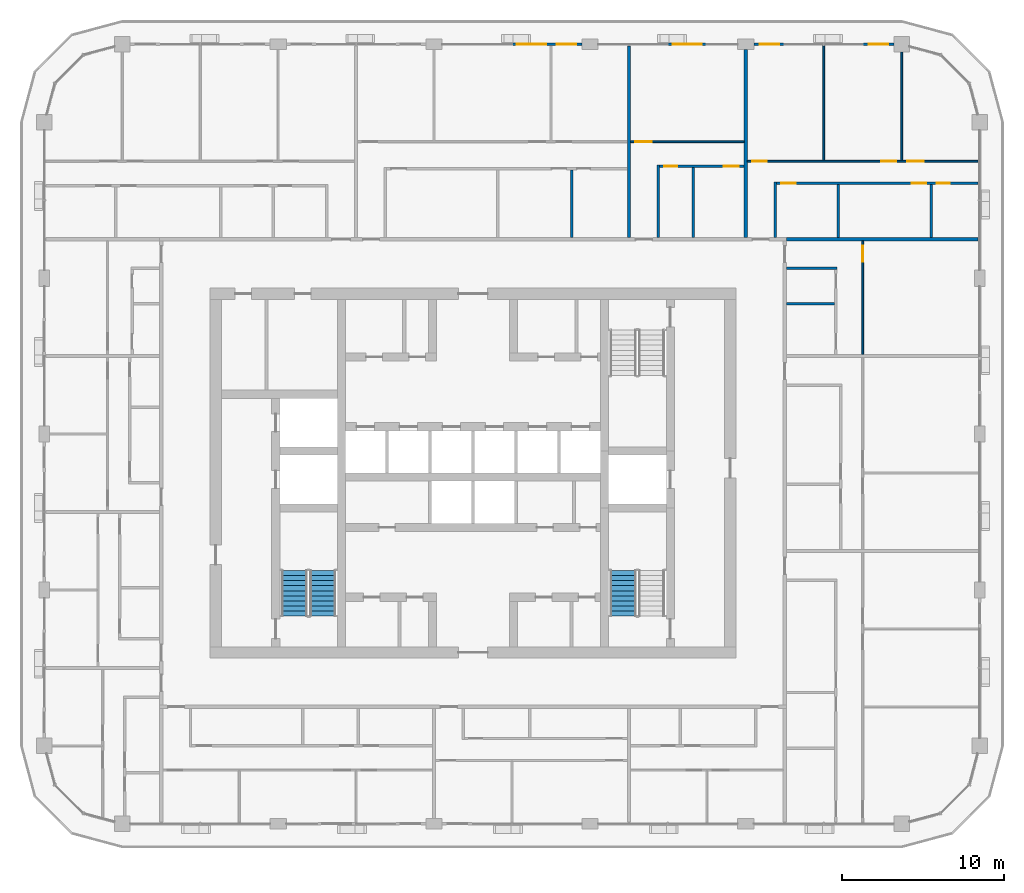
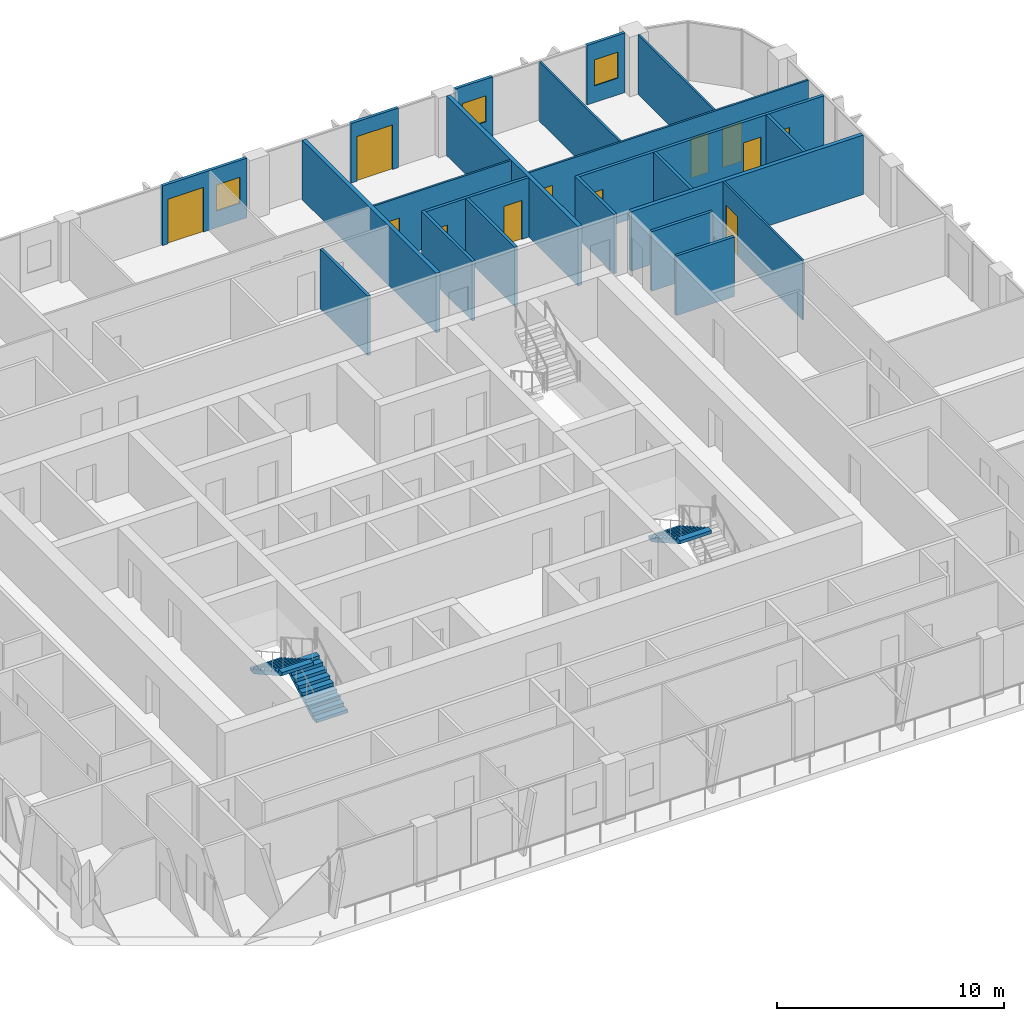
# One storey, part 15 of 23: 22 walls, 12 doors, 3 stair flights, 3 windows, 15 openings, 2 elements without a shape of their own.
"""IFC4 building model written with IfcOpenShell, lengths in metres."""

import ifcopenshell
import ifcopenshell.guid

model = None  # the IFC model being written
_history = None  # IfcOwnerHistory: only IFC2X3 demands one
_inside = {}  # id of a spatial element -> (the spatial element, [elements in it])
_under = {}  # id of a project, library or spatial element -> (it, [spatial elements below it])
_declared = {}  # id of a project -> (the project, [libraries it declares])
_typed = {}  # id of a type object -> (the type object, [elements of that type])
_made_of = {}  # id of a material, layer set ... -> (it, [elements and type objects made of it])


def new_model(schema):
    """Start an empty IFC model of exactly this schema.

    Asked for "IFC4X3", IfcOpenShell would pick the latest addendum, in which some entities
    have other attributes; the version numbers below select the first issue.
    IFC2X3 requires an IfcOwnerHistory on every rooted entity: one is made here for all.
    """
    global model, _history
    if schema == "IFC4X3":
        model = ifcopenshell.file(schema_version=(4, 3, 0, 0))
    else:
        model = ifcopenshell.file(schema=schema)
    _inside.clear()
    _under.clear()
    _declared.clear()
    _typed.clear()
    _made_of.clear()
    _history = None
    if model.schema == "IFC2X3":
        org = make("IfcOrganization", Name="unknown")
        user = make(
            "IfcPersonAndOrganization",
            ThePerson=make("IfcPerson", FamilyName="unknown"),
            TheOrganization=org,
        )
        app = make(
            "IfcApplication",
            ApplicationDeveloper=org,
            Version="unknown",
            ApplicationFullName="unknown",
            ApplicationIdentifier="unknown",
        )
        _history = make(
            "IfcOwnerHistory",
            OwningUser=user,
            OwningApplication=app,
            ChangeAction="ADDED",
            CreationDate=0,
        )
    return model


def make(cls, **values):
    """One entity of the class cls with the attributes given. An attribute that is None is left unset."""
    return model.create_entity(
        cls, **{name: value for name, value in values.items() if value is not None}
    )


def rooted(cls, **values):
    """An entity with a GlobalId (a new one), such as an element, a storey or a relation."""
    return make(cls, GlobalId=ifcopenshell.guid.new(), OwnerHistory=_history, **values)


def si_unit(unit_type, name, prefix=None):
    """IfcSIUnit, for example si_unit("LENGTHUNIT", "METRE", prefix="MILLI")."""
    return make("IfcSIUnit", UnitType=unit_type, Prefix=prefix, Name=name)


def assignment(units):
    """IfcUnitAssignment: the units of a project."""
    return None if units is None else make("IfcUnitAssignment", Units=units)


def point(xyz):
    """IfcCartesianPoint."""
    return None if xyz is None else make("IfcCartesianPoint", Coordinates=xyz)


def direction(xyz):
    """IfcDirection."""
    return None if xyz is None else make("IfcDirection", DirectionRatios=xyz)


def frame(location, z_axis=None, x_axis=None):
    """IfcAxis2Placement3D, a coordinate frame: its origin and axes. An axis left out is left unset."""
    return make(
        "IfcAxis2Placement3D",
        Location=point(location),
        Axis=direction(z_axis),
        RefDirection=direction(x_axis),
    )


def frame_2d(location, x_axis=None):
    """IfcAxis2Placement2D, a coordinate frame in the plane: its origin and x axis."""
    return make(
        "IfcAxis2Placement2D", Location=point(location), RefDirection=direction(x_axis)
    )


def origin():
    """The frame at (0, 0, 0) with its axes left unset."""
    return frame((0.0, 0.0, 0.0))


def place(relative_to, where):
    """IfcLocalPlacement: puts the frame where relative to a parent placement (None: the world)."""
    return make(
        "IfcLocalPlacement", PlacementRelTo=relative_to, RelativePlacement=where
    )


def context(
    kind, dimensions, precision=None, world=None, true_north=None, identifier=None
):
    """IfcGeometricRepresentationContext, for example the 3D "Model" context."""
    return make(
        "IfcGeometricRepresentationContext",
        ContextIdentifier=identifier,
        ContextType=kind,
        CoordinateSpaceDimension=dimensions,
        Precision=precision,
        WorldCoordinateSystem=world,
        TrueNorth=true_north,
    )


def subcontext(parent, identifier, kind, view, scale=None):
    """IfcGeometricRepresentationSubContext, for example "Body" below "Model"."""
    return make(
        "IfcGeometricRepresentationSubContext",
        ContextIdentifier=identifier,
        ContextType=kind,
        ParentContext=parent,
        TargetScale=scale,
        TargetView=view,
    )


def project(units=None, contexts=None):
    """IfcProject with its units and contexts."""
    return rooted(
        "IfcProject",
        Name="project",
        RepresentationContexts=contexts,
        UnitsInContext=assignment(units),
    )


def spatial(cls, under=None, at=None, **own):
    """A site, building, storey or space (cls), placed at a placement, below another one or the project."""
    s = rooted(cls, ObjectPlacement=at, **own)
    if under is not None:
        _under.setdefault(under.id(), (under, []))[1].append(s)
    return s


def polyline(points):
    """IfcPolyline through the points."""
    return make("IfcPolyline", Points=[point(p) for p in points])


def profile(cls, at=None, kind="AREA", **sizes):
    """A parametric profile (cls). Its sizes go by their IFC names, for example OverallWidth=200.0."""
    return make(cls, ProfileType=kind, Position=at, **sizes)


def rectangle(**sizes):
    """IfcRectangleProfileDef."""
    return profile("IfcRectangleProfileDef", **sizes)


def outline(outer, holes=None, kind="AREA"):
    """IfcArbitraryClosedProfileDef: a profile drawn as a closed curve; with holes, ...WithVoids."""
    if holes is None:
        return make("IfcArbitraryClosedProfileDef", ProfileType=kind, OuterCurve=outer)
    return make(
        "IfcArbitraryProfileDefWithVoids",
        ProfileType=kind,
        OuterCurve=outer,
        InnerCurves=holes,
    )


def extrude(swept, where, along, depth):
    """IfcExtrudedAreaSolid: the profile swept, set in the frame where, extruded along a direction by depth."""
    return make(
        "IfcExtrudedAreaSolid",
        SweptArea=swept,
        Position=where,
        ExtrudedDirection=direction(along),
        Depth=depth,
    )


def shape(context_of_items, identifier, shape_type, items):
    """IfcShapeRepresentation: the items that make up one representation, for example the "Body"."""
    return make(
        "IfcShapeRepresentation",
        ContextOfItems=context_of_items,
        RepresentationIdentifier=identifier,
        RepresentationType=shape_type,
        Items=items,
    )


def material(Name=None, Category=None):
    """IfcMaterial."""
    return make("IfcMaterial", Name=Name, Category=Category)


def layer(
    of_material, thickness, ventilated=None, Name=None, Category=None, Priority=None
):
    """IfcMaterialLayer: one layer of a wall or slab, of a material (None: an air gap)."""
    return make(
        "IfcMaterialLayer",
        Material=of_material,
        LayerThickness=thickness,
        IsVentilated=ventilated,
        Name=Name,
        Category=Category,
        Priority=Priority,
    )


def layer_set(layers, Name=None):
    """IfcMaterialLayerSet."""
    return make("IfcMaterialLayerSet", MaterialLayers=layers, LayerSetName=Name)


def made_of(thing, what):
    """Note that an element or type object is made of a material, layer set ...; save() writes the relation."""
    if what is not None:
        _made_of.setdefault(what.id(), (what, []))[1].append(thing)
    return thing


def type_object(cls, material=None, **own):
    """A type object (cls), such as IfcWallType, which elements share."""
    return made_of(rooted(cls, **own), material)


def element(
    cls,
    number,
    at=None,
    inside=None,
    cuts=None,
    type_object=None,
    material=None,
    context=None,
    identifier="Body",
    shape_type=None,
    held_by="IfcProductDefinitionShape",
    body=None,
    shapes=None,
    **own,
):
    """One element of the class cls, such as IfcWall. Its Tag is "e" and its number.

    at: its placement. inside: the storey or other place that contains it. cuts: it is an
    opening in that element (IfcRelVoidsElement). A single representation is given by context,
    identifier, shape_type and body (its items); several are given by shapes. held_by: the class
    of the entity that holds the representations. save() writes the other relations.
    """
    e = rooted(cls, Tag="e%d" % number, ObjectPlacement=at, **own)
    if body is not None:
        shapes = [shape(context, identifier, shape_type, body)]
    if shapes is not None:
        e.Representation = make(held_by, Representations=shapes)
    if inside is not None:
        _inside.setdefault(inside.id(), (inside, []))[1].append(e)
    if cuts is not None:
        rooted(
            "IfcRelVoidsElement", RelatingBuildingElement=cuts, RelatedOpeningElement=e
        )
    if type_object is not None:
        _typed.setdefault(type_object.id(), (type_object, []))[1].append(e)
    return made_of(e, material)


def fill(opening, filler):
    """IfcRelFillsElement: the door or window that sits in an opening."""
    return rooted(
        "IfcRelFillsElement",
        RelatingOpeningElement=opening,
        RelatedBuildingElement=filler,
    )


def aggregate(whole, parts):
    """IfcRelAggregates: a whole, such as a stair, and the parts it consists of."""
    return rooted("IfcRelAggregates", RelatingObject=whole, RelatedObjects=parts)


def save(model, path):
    """Write the relations noted so far, then the file.

    IfcRelAggregates (storeys below a building ...), IfcRelContainedInSpatialStructure (elements
    in a storey), IfcRelDefinesByType, IfcRelAssociatesMaterial and IfcRelDeclares: one each for
    every whole, place, type object, material and project.
    """
    for whole, parts in _under.values():
        aggregate(whole, parts)
    for where, things in _inside.values():
        rooted(
            "IfcRelContainedInSpatialStructure",
            RelatedElements=things,
            RelatingStructure=where,
        )
    for kind, things in _typed.values():
        rooted("IfcRelDefinesByType", RelatedObjects=things, RelatingType=kind)
    for what, things in _made_of.values():
        rooted("IfcRelAssociatesMaterial", RelatedObjects=things, RelatingMaterial=what)
    for by, libraries in _declared.values():
        rooted("IfcRelDeclares", RelatingContext=by, RelatedDefinitions=libraries)
    model.write(path)


model = new_model("IFC4")

# Units and contexts
model_context = context("Model", 3, precision=1e-05, world=origin(), true_north=direction((0.0, 1.0)))
body_context = subcontext(model_context, "Body", "Model", "MODEL_VIEW")
ifc_project = project(units=[si_unit("LENGTHUNIT", "METRE"), si_unit("AREAUNIT", "SQUARE_METRE"), si_unit("VOLUMEUNIT", "CUBIC_METRE"), si_unit("PLANEANGLEUNIT", "RADIAN"), si_unit("MASSUNIT", "GRAM", prefix="KILO")], contexts=[model_context])

# Site, building, storey
site_placement = place(None, origin())
site = spatial("IfcSite", under=ifc_project, at=site_placement, CompositionType="ELEMENT")
building_placement = place(site_placement, origin())
building = spatial("IfcBuilding", under=site, at=building_placement, Name="Madar Terraces", CompositionType="ELEMENT")
storey_placement = place(building_placement, frame((0.0, 0.0, 215.800048828125)))
storey = spatial("IfcBuildingStorey", under=building, at=storey_placement, Name="L56", CompositionType="ELEMENT", Elevation=215.800048828125)

# Wall, opening, window
ifc_material_1 = material(Name="Aluminium composite panel, black, over insulated backing", Category="aluminium")
ifc_layer_1 = layer(ifc_material_1, 0.14990234375)
ifc_layer_set_1 = layer_set([ifc_layer_1], Name="Facade bay panel 150")
wall_type_1 = type_object("IfcWallType", Name="Facade bay panel 150", PredefinedType="SOLIDWALL", material=ifc_layer_set_1)
wall_1_placement = place(storey_placement, frame((57.125, 52.800048828125, 0.0), z_axis=(0.0, 0.0, 1.0), x_axis=(-1.0, 0.0, 0.0)))
wall_1 = element("IfcWall", 1, at=wall_1_placement, inside=storey, type_object=wall_type_1, Name="Facade bay panel", PredefinedType="SOLIDWALL", context=body_context, shape_type="SweptSolid", body=[
    extrude(rectangle(XDim=1.925048828125, YDim=0.14990234375, at=frame_2d((0.96240234375, 0.0))), origin(), (0.0, 0.0, 1.0), 3.199951171875),
])
opening_1_placement = place(wall_1_placement, frame((0.362548828125, 0.0, 0.89990234375)))
opening_1 = element("IfcOpeningElement", 2, at=opening_1_placement, cuts=wall_1, Name="Opening W1", PredefinedType="OPENING", context=body_context, shape_type="SweptSolid", body=[
    extrude(rectangle(XDim=1.199951171875, YDim=1.39990234375, at=frame_2d((0.60009765625, 0.699951171875))), frame((0.0, 0.0849609375, 0.0), z_axis=(0.0, -1.0, 0.0), x_axis=(1.0, 0.0, 0.0)), (0.0, 0.0, 1.0), 0.169921875),
])
ifc_material_2 = material(Name="Glass, clear, with black aluminium frame", Category="aluminium")
window_type = type_object("IfcWindowType", Name="Vent window 1200 x 1400", PartitioningType="SINGLE_PANEL", PredefinedType="WINDOW", material=ifc_material_2)
window_1_placement = place(opening_1_placement, origin())
window_1 = element("IfcWindow", 3, at=window_1_placement, inside=storey, type_object=window_type, Name="Operable vent window", OverallHeight=1.39990234375, OverallWidth=1.199951171875, PartitioningType="SINGLE_PANEL", PredefinedType="WINDOW", context=body_context, shape_type="SweptSolid", body=[
    extrude(rectangle(XDim=1.199951171875, YDim=1.39990234375, at=frame_2d((0.60009765625, 0.699951171875))), frame((0.0, 0.030029296875, 0.0), z_axis=(0.0, -1.0, 0.0), x_axis=(1.0, 0.0, 0.0)), (0.0, 0.0, 1.0), 0.06005859375),
])
fill(opening_1, window_1)

wall_2_placement = place(storey_placement, frame((50.39990234375, 52.800048828125, 0.0), z_axis=(0.0, 0.0, 1.0), x_axis=(-1.0, 0.0, 0.0)))
wall_2 = element("IfcWall", 4, at=wall_2_placement, inside=storey, type_object=wall_type_1, Name="Facade bay panel", PredefinedType="SOLIDWALL", context=body_context, shape_type="SweptSolid", body=[
    extrude(rectangle(XDim=1.89990234375, YDim=0.14990234375, at=frame_2d((0.949951171875, 0.0))), origin(), (0.0, 0.0, 1.0), 3.199951171875),
])
opening_2_placement = place(wall_2_placement, frame((0.35009765625, 0.0, 0.89990234375)))
opening_2 = element("IfcOpeningElement", 5, at=opening_2_placement, cuts=wall_2, Name="Opening W1", PredefinedType="OPENING", context=body_context, shape_type="SweptSolid", body=[
    extrude(rectangle(XDim=1.199951171875, YDim=1.39990234375, at=frame_2d((0.60009765625, 0.699951171875))), frame((0.0, 0.0849609375, 0.0), z_axis=(0.0, -1.0, 0.0), x_axis=(1.0, 0.0, 0.0)), (0.0, 0.0, 1.0), 0.169921875),
])
window_2_placement = place(opening_2_placement, origin())
window_2 = element("IfcWindow", 6, at=window_2_placement, inside=storey, type_object=window_type, Name="Operable vent window", OverallHeight=1.39990234375, OverallWidth=1.199951171875, PartitioningType="SINGLE_PANEL", PredefinedType="WINDOW", context=body_context, shape_type="SweptSolid", body=[
    extrude(rectangle(XDim=1.199951171875, YDim=1.39990234375, at=frame_2d((0.60009765625, 0.699951171875))), frame((0.0, 0.030029296875, 0.0), z_axis=(0.0, -1.0, 0.0), x_axis=(1.0, 0.0, 0.0)), (0.0, 0.0, 1.0), 0.06005859375),
])
fill(opening_2, window_2)

# Wall, opening, door
wall_3_placement = place(storey_placement, frame((45.60009765625, 52.800048828125, 0.0), z_axis=(0.0, 0.0, 1.0), x_axis=(-1.0, 0.0, 0.0)))
wall_3 = element("IfcWall", 7, at=wall_3_placement, inside=storey, type_object=wall_type_1, Name="Facade bay panel", PredefinedType="SOLIDWALL", context=body_context, shape_type="SweptSolid", body=[
    extrude(rectangle(XDim=2.400146484375, YDim=0.14990234375, at=frame_2d((1.2001953125, 0.0))), origin(), (0.0, 0.0, 1.0), 3.199951171875),
])
opening_3_placement = place(wall_3_placement, frame((0.300048828125, 0.0, 0.0)))
opening_3 = element("IfcOpeningElement", 8, at=opening_3_placement, cuts=wall_3, Name="Opening ED1", PredefinedType="OPENING", context=body_context, shape_type="SweptSolid", body=[
    extrude(rectangle(XDim=1.800048828125, YDim=2.39990234375, at=frame_2d((0.89990234375, 1.199951171875))), frame((0.0, 0.0849609375, 0.0), z_axis=(0.0, -1.0, 0.0), x_axis=(1.0, 0.0, 0.0)), (0.0, 0.0, 1.0), 0.169921875),
])
ifc_material_3 = material(Name="Glass, clear, with black aluminium frame", Category="aluminium")
door_type_1 = type_object("IfcDoorType", Name="Balcony and terrace sliding door 1800 x 2400", OperationType="SLIDING_TO_LEFT", PredefinedType="DOOR", material=ifc_material_3)
door_1_placement = place(opening_3_placement, origin())
door_1 = element("IfcDoor", 9, at=door_1_placement, inside=storey, type_object=door_type_1, Name="Balcony door", OperationType="SLIDING_TO_LEFT", OverallHeight=2.39990234375, OverallWidth=1.800048828125, PredefinedType="DOOR", context=body_context, shape_type="SweptSolid", body=[
    extrude(rectangle(XDim=1.800048828125, YDim=2.39990234375, at=frame_2d((0.89990234375, 1.199951171875))), frame((0.0, 0.02490234375, 0.0), z_axis=(0.0, -1.0, 0.0), x_axis=(1.0, 0.0, 0.0)), (0.0, 0.0, 1.0), 0.050048828125),
])
fill(opening_3, door_1)

# Wall, openings, door, window
wall_4_placement = place(storey_placement, frame((37.89990234375, 52.800048828125, 0.0), z_axis=(0.0, 0.0, 1.0), x_axis=(-1.0, 0.0, 0.0)))
wall_4 = element("IfcWall", 10, at=wall_4_placement, inside=storey, type_object=wall_type_1, Name="Facade bay panel", PredefinedType="SOLIDWALL", context=body_context, shape_type="SweptSolid", body=[
    extrude(rectangle(XDim=4.2998046875, YDim=0.14990234375, at=frame_2d((2.14990234375, 0.0))), origin(), (0.0, 0.0, 1.0), 3.199951171875),
])
opening_4_placement = place(wall_4_placement, frame((0.35009765625, 0.0, 0.89990234375)))
opening_4 = element("IfcOpeningElement", 11, at=opening_4_placement, cuts=wall_4, Name="Opening W1", PredefinedType="OPENING", context=body_context, shape_type="SweptSolid", body=[
    extrude(rectangle(XDim=1.199951171875, YDim=1.39990234375, at=frame_2d((0.60009765625, 0.699951171875))), frame((0.0, 0.0849609375, 0.0), z_axis=(0.0, -1.0, 0.0), x_axis=(1.0, 0.0, 0.0)), (0.0, 0.0, 1.0), 0.169921875),
])
opening_5_placement = place(wall_4_placement, frame((2.199951171875, 0.0, 0.0)))
opening_5 = element("IfcOpeningElement", 12, at=opening_5_placement, cuts=wall_4, Name="Opening ED1", PredefinedType="OPENING", context=body_context, shape_type="SweptSolid", body=[
    extrude(rectangle(XDim=1.800048828125, YDim=2.39990234375, at=frame_2d((0.89990234375, 1.199951171875))), frame((0.0, 0.0849609375, 0.0), z_axis=(0.0, -1.0, 0.0), x_axis=(1.0, 0.0, 0.0)), (0.0, 0.0, 1.0), 0.169921875),
])
door_2_placement = place(opening_5_placement, origin())
door_2 = element("IfcDoor", 13, at=door_2_placement, inside=storey, type_object=door_type_1, Name="Balcony door", OperationType="SLIDING_TO_RIGHT", OverallHeight=2.39990234375, OverallWidth=1.800048828125, PredefinedType="DOOR", context=body_context, shape_type="SweptSolid", body=[
    extrude(rectangle(XDim=1.800048828125, YDim=2.39990234375, at=frame_2d((0.89990234375, 1.199951171875))), frame((0.0, 0.02490234375, 0.0), z_axis=(0.0, -1.0, 0.0), x_axis=(1.0, 0.0, 0.0)), (0.0, 0.0, 1.0), 0.050048828125),
])
fill(opening_5, door_2)
window_3_placement = place(opening_4_placement, origin())
window_3 = element("IfcWindow", 14, at=window_3_placement, inside=storey, type_object=window_type, Name="Operable vent window", OverallHeight=1.39990234375, OverallWidth=1.199951171875, PartitioningType="SINGLE_PANEL", PredefinedType="WINDOW", context=body_context, shape_type="SweptSolid", body=[
    extrude(rectangle(XDim=1.199951171875, YDim=1.39990234375, at=frame_2d((0.60009765625, 0.699951171875))), frame((0.0, 0.030029296875, 0.0), z_axis=(0.0, -1.0, 0.0), x_axis=(1.0, 0.0, 0.0)), (0.0, 0.0, 1.0), 0.06005859375),
])
fill(opening_4, window_3)

# Wall, opening, door
ifc_material_4 = material(Name="Gypsum board on steel studs", Category="steel")
ifc_layer_2 = layer(ifc_material_4, 0.10009765625)
ifc_layer_set_2 = layer_set([ifc_layer_2], Name="Flat partition 100")
wall_type_2 = type_object("IfcWallType", Name="Flat partition 100", PredefinedType="PARTITIONING", material=ifc_layer_set_2)
wall_5_placement = place(storey_placement, frame((55.199951171875, 40.699951171875, 0.0), z_axis=(0.0, 0.0, 1.0), x_axis=(0.0, -1.0, 0.0)))
wall_5 = element("IfcWall", 15, at=wall_5_placement, inside=storey, type_object=wall_type_2, Name="Flat partition 100", PredefinedType="PARTITIONING", context=body_context, shape_type="SweptSolid", body=[
    extrude(rectangle(XDim=7.0, YDim=0.10009765625, at=frame_2d((3.5, 0.0))), origin(), (0.0, 0.0, 1.0), 3.199951171875),
])
opening_6_placement = place(wall_5_placement, frame((0.300048828125, 0.0, 0.0)))
opening_6 = element("IfcOpeningElement", 16, at=opening_6_placement, cuts=wall_5, Name="Opening D3", PredefinedType="OPENING", context=body_context, shape_type="SweptSolid", body=[
    extrude(rectangle(XDim=1.0, YDim=2.10009765625, at=frame_2d((0.5, 1.050048828125))), frame((0.0, 0.06005859375, 0.0), z_axis=(0.0, -1.0, 0.0), x_axis=(1.0, 0.0, 0.0)), (0.0, 0.0, 1.0), 0.1201171875),
])
ifc_material_5 = material(Name="Timber door leaf", Category="wood")
door_type_2 = type_object("IfcDoorType", Name="Flat living room door 1000", OperationType="NOTDEFINED", PredefinedType="DOOR", material=ifc_material_5)
door_3_placement = place(opening_6_placement, origin())
door_3 = element("IfcDoor", 17, at=door_3_placement, inside=storey, type_object=door_type_2, Name="Flat living room door 1000", OperationType="SINGLE_SWING_LEFT", OverallHeight=2.10009765625, OverallWidth=1.0, PredefinedType="DOOR", context=body_context, shape_type="SweptSolid", body=[
    extrude(rectangle(XDim=1.0, YDim=2.10009765625, at=frame_2d((0.5, 1.050048828125))), frame((0.0, 0.02490234375, 0.0), z_axis=(0.0, -1.0, 0.0), x_axis=(1.0, 0.0, 0.0)), (0.0, 0.0, 1.0), 0.050048828125),
])
fill(opening_6, door_3)

# Walls
wall_6_placement = place(storey_placement, frame((52.800048828125, 45.64990234375, 0.0), z_axis=(0.0, 0.0, 1.0), x_axis=(0.0, 1.0, 0.0)))
element("IfcWall", 18, at=wall_6_placement, inside=storey, type_object=wall_type_2, Name="Flat partition 100", PredefinedType="PARTITIONING", context=body_context, shape_type="SweptSolid", body=[
    extrude(rectangle(XDim=7.050048828125, YDim=0.10009765625, at=frame_2d((3.52490234375, 0.0))), origin(), (0.0, 0.0, 1.0), 3.199951171875),
])
wall_7_placement = place(storey_placement, frame((57.60009765625, 45.64990234375, 0.0), z_axis=(0.0, 0.0, 1.0), x_axis=(0.0, 1.0, 0.0)))
element("IfcWall", 19, at=wall_7_placement, inside=storey, type_object=wall_type_2, Name="Flat partition 100", PredefinedType="PARTITIONING", context=body_context, shape_type="SweptSolid", body=[
    extrude(rectangle(XDim=6.675048828125, YDim=0.10009765625, at=frame_2d((3.33740234375, 0.0))), origin(), (0.0, 0.0, 1.0), 3.199951171875),
])

# Wall, openings, doors
wall_8_placement = place(storey_placement, frame((48.10009765625, 45.60009765625, 0.0), z_axis=(0.0, 0.0, 1.0), x_axis=(1.0, 0.0, 0.0)))
wall_8 = element("IfcWall", 20, at=wall_8_placement, inside=storey, type_object=wall_type_2, Name="Flat partition 100", PredefinedType="PARTITIONING", context=body_context, shape_type="SweptSolid", body=[
    extrude(rectangle(XDim=14.199951171875, YDim=0.10009765625, at=frame_2d((7.10009765625, 0.0))), origin(), (0.0, 0.0, 1.0), 3.199951171875),
])
opening_7_placement = place(wall_8_placement, frame((0.300048828125, 0.0, 0.0)))
opening_7 = element("IfcOpeningElement", 21, at=opening_7_placement, cuts=wall_8, Name="Opening D2", PredefinedType="OPENING", context=body_context, shape_type="SweptSolid", body=[
    extrude(rectangle(XDim=0.89990234375, YDim=2.10009765625, at=frame_2d((0.449951171875, 1.050048828125))), frame((0.0, 0.06005859375, 0.0), z_axis=(0.0, -1.0, 0.0), x_axis=(1.0, 0.0, 0.0)), (0.0, 0.0, 1.0), 0.1201171875),
])
opening_8_placement = place(wall_8_placement, frame((8.25, 0.0, 0.0)))
opening_8 = element("IfcOpeningElement", 22, at=opening_8_placement, cuts=wall_8, Name="Opening D2", PredefinedType="OPENING", context=body_context, shape_type="SweptSolid", body=[
    extrude(rectangle(XDim=0.89990234375, YDim=2.10009765625, at=frame_2d((0.449951171875, 1.050048828125))), frame((0.0, 0.06005859375, 0.0), z_axis=(0.0, -1.0, 0.0), x_axis=(1.0, 0.0, 0.0)), (0.0, 0.0, 1.0), 0.1201171875),
])
opening_9_placement = place(wall_8_placement, frame((9.85009765625, 0.0, 0.0)))
opening_9 = element("IfcOpeningElement", 23, at=opening_9_placement, cuts=wall_8, Name="Opening D3", PredefinedType="OPENING", context=body_context, shape_type="SweptSolid", body=[
    extrude(rectangle(XDim=1.0, YDim=2.10009765625, at=frame_2d((0.5, 1.050048828125))), frame((0.0, 0.06005859375, 0.0), z_axis=(0.0, -1.0, 0.0), x_axis=(1.0, 0.0, 0.0)), (0.0, 0.0, 1.0), 0.1201171875),
])
door_4_placement = place(opening_9_placement, origin())
door_4 = element("IfcDoor", 24, at=door_4_placement, inside=storey, type_object=door_type_2, Name="Flat living room door 1000", OperationType="SINGLE_SWING_LEFT", OverallHeight=2.10009765625, OverallWidth=1.0, PredefinedType="DOOR", context=body_context, shape_type="SweptSolid", body=[
    extrude(rectangle(XDim=1.0, YDim=2.10009765625, at=frame_2d((0.5, 1.050048828125))), frame((0.0, 0.02490234375, 0.0), z_axis=(0.0, -1.0, 0.0), x_axis=(1.0, 0.0, 0.0)), (0.0, 0.0, 1.0), 0.050048828125),
])
fill(opening_9, door_4)
ifc_material_6 = material(Name="Timber door leaf", Category="wood")
door_type_3 = type_object("IfcDoorType", Name="Flat room door 900", OperationType="NOTDEFINED", PredefinedType="DOOR", material=ifc_material_6)
door_5_placement = place(opening_7_placement, origin())
door_5 = element("IfcDoor", 25, at=door_5_placement, inside=storey, type_object=door_type_3, Name="Flat room door 900", OperationType="SINGLE_SWING_LEFT", OverallHeight=2.10009765625, OverallWidth=0.89990234375, PredefinedType="DOOR", context=body_context, shape_type="SweptSolid", body=[
    extrude(rectangle(XDim=0.89990234375, YDim=2.10009765625, at=frame_2d((0.449951171875, 1.050048828125))), frame((0.0, 0.02490234375, 0.0), z_axis=(0.0, -1.0, 0.0), x_axis=(1.0, 0.0, 0.0)), (0.0, 0.0, 1.0), 0.050048828125),
])
fill(opening_7, door_5)
door_6_placement = place(opening_8_placement, origin())
door_6 = element("IfcDoor", 26, at=door_6_placement, inside=storey, type_object=door_type_3, Name="Flat room door 900", OperationType="SINGLE_SWING_RIGHT", OverallHeight=2.10009765625, OverallWidth=0.89990234375, PredefinedType="DOOR", context=body_context, shape_type="SweptSolid", body=[
    extrude(rectangle(XDim=0.89990234375, YDim=2.10009765625, at=frame_2d((0.449951171875, 1.050048828125))), frame((0.0, 0.02490234375, 0.0), z_axis=(0.0, -1.0, 0.0), x_axis=(1.0, 0.0, 0.0)), (0.0, 0.0, 1.0), 0.050048828125),
])
fill(opening_8, door_6)

# Wall, opening, door
wall_9_placement = place(storey_placement, frame((40.89990234375, 46.800048828125, 0.0), z_axis=(0.0, 0.0, 1.0), x_axis=(1.0, 0.0, 0.0)))
wall_9 = element("IfcWall", 27, at=wall_9_placement, inside=storey, type_object=wall_type_2, Name="Flat partition 100", PredefinedType="PARTITIONING", context=body_context, shape_type="SweptSolid", body=[
    extrude(rectangle(XDim=7.0, YDim=0.10009765625, at=frame_2d((3.5, 0.0))), origin(), (0.0, 0.0, 1.0), 3.199951171875),
])
opening_10_placement = place(wall_9_placement, frame((0.300048828125, 0.0, 0.0)))
opening_10 = element("IfcOpeningElement", 28, at=opening_10_placement, cuts=wall_9, Name="Opening D3", PredefinedType="OPENING", context=body_context, shape_type="SweptSolid", body=[
    extrude(rectangle(XDim=1.0, YDim=2.10009765625, at=frame_2d((0.5, 1.050048828125))), frame((0.0, 0.06005859375, 0.0), z_axis=(0.0, -1.0, 0.0), x_axis=(1.0, 0.0, 0.0)), (0.0, 0.0, 1.0), 0.1201171875),
])
door_7_placement = place(opening_10_placement, origin())
door_7 = element("IfcDoor", 29, at=door_7_placement, inside=storey, type_object=door_type_2, Name="Flat living room door 1000", OperationType="SINGLE_SWING_LEFT", OverallHeight=2.10009765625, OverallWidth=1.0, PredefinedType="DOOR", context=body_context, shape_type="SweptSolid", body=[
    extrude(rectangle(XDim=1.0, YDim=2.10009765625, at=frame_2d((0.5, 1.050048828125))), frame((0.0, 0.02490234375, 0.0), z_axis=(0.0, -1.0, 0.0), x_axis=(1.0, 0.0, 0.0)), (0.0, 0.0, 1.0), 0.050048828125),
])
fill(opening_10, door_7)

# Walls
ifc_material_7 = material(Name="Lightweight blockwork", Category="masonry")
ifc_layer_3 = layer(ifc_material_7, 0.199951171875)
ifc_layer_set_3 = layer_set([ifc_layer_3], Name="Flat party and entrance wall 200")
wall_type_3 = type_object("IfcWallType", Name="Flat party and entrance wall 200", PredefinedType="PARTITIONING", material=ifc_layer_set_3)
wall_10_placement = place(storey_placement, frame((50.5, 40.800048828125, 0.0), z_axis=(0.0, 0.0, 1.0), x_axis=(1.0, 0.0, 0.0)))
element("IfcWall", 30, at=wall_10_placement, inside=storey, type_object=wall_type_3, Name="Flat party and entrance wall 200", PredefinedType="PARTITIONING", context=body_context, shape_type="SweptSolid", body=[
    extrude(rectangle(XDim=11.800048828125, YDim=0.199951171875, at=frame_2d((5.89990234375, 0.0))), origin(), (0.0, 0.0, 1.0), 3.199951171875),
])
wall_11_placement = place(storey_placement, frame((48.0, 52.47509765625, 0.0), z_axis=(0.0, 0.0, 1.0), x_axis=(0.0, -1.0, 0.0)))
element("IfcWall", 31, at=wall_11_placement, inside=storey, type_object=wall_type_3, Name="Flat party and entrance wall 200", PredefinedType="PARTITIONING", context=body_context, shape_type="SweptSolid", body=[
    extrude(rectangle(XDim=11.5751953125, YDim=0.199951171875, at=frame_2d((5.78759765625, 0.0))), origin(), (0.0, 0.0, 1.0), 3.199951171875),
])
wall_12_placement = place(storey_placement, frame((40.800048828125, 52.699951171875, 0.0), z_axis=(0.0, 0.0, 1.0), x_axis=(0.0, -1.0, 0.0)))
element("IfcWall", 32, at=wall_12_placement, inside=storey, type_object=wall_type_3, Name="Flat party and entrance wall 200", PredefinedType="PARTITIONING", context=body_context, shape_type="SweptSolid", body=[
    extrude(rectangle(XDim=11.800048828125, YDim=0.199951171875, at=frame_2d((5.89990234375, 0.0))), origin(), (0.0, 0.0, 1.0), 3.199951171875),
])
ifc_material_8 = material(Name="Lightweight blockwork", Category="masonry")
ifc_layer_4 = layer(ifc_material_8, 0.14990234375)
ifc_layer_set_4 = layer_set([ifc_layer_4], Name="Flat wet-room partition 150")
wall_type_4 = type_object("IfcWallType", Name="Flat wet-room partition 150", PredefinedType="PARTITIONING", material=ifc_layer_set_4)
wall_13_placement = place(storey_placement, frame((50.5, 36.8349609375, 0.0), z_axis=(0.0, 0.0, 1.0), x_axis=(1.0, 0.0, 0.0)))
element("IfcWall", 33, at=wall_13_placement, inside=storey, type_object=wall_type_4, Name="Flat wet-room partition 150", PredefinedType="PARTITIONING", context=body_context, shape_type="SweptSolid", body=[
    extrude(rectangle(XDim=2.97509765625, YDim=0.14990234375, at=frame_2d((1.487548828125, 0.0))), origin(), (0.0, 0.0, 1.0), 3.199951171875),
])
wall_14_placement = place(storey_placement, frame((50.5, 39.0, 0.0), z_axis=(0.0, 0.0, 1.0), x_axis=(1.0, 0.0, 0.0)))
element("IfcWall", 34, at=wall_14_placement, inside=storey, type_object=wall_type_4, Name="Flat wet-room partition 150", PredefinedType="PARTITIONING", context=body_context, shape_type="SweptSolid", body=[
    extrude(rectangle(XDim=3.125, YDim=0.14990234375, at=frame_2d((1.5625, 0.0))), origin(), (0.0, 0.0, 1.0), 3.199951171875),
])
for number, where, z_axis, x_axis, name in (
    (35, (53.697998046875, 40.89990234375, 0.0), (0.0, 0.0, 1.0), (0.0, 1.0, 0.0), "Flat wet-room partition 150"),
    (36, (59.4326171875, 40.89990234375, 0.0), (0.0, 0.0, 1.0), (0.0, 1.0, 0.0), "Flat wet-room partition 150"),
):
    element("IfcWall", number, at=place(storey_placement, frame(where, z_axis=z_axis, x_axis=x_axis)), inside=storey, type_object=wall_type_4, Name=name, PredefinedType="PARTITIONING", context=body_context, shape_type="SweptSolid", body=[
        extrude(rectangle(XDim=3.275146484375, YDim=0.14990234375, at=frame_2d((1.6376953125, 0.0))), origin(), (0.0, 0.0, 1.0), 3.199951171875),
    ])
wall_15_placement = place(storey_placement, frame((49.800048828125, 40.89990234375, 0.0), z_axis=(0.0, 0.0, 1.0), x_axis=(0.0, 1.0, 0.0)))
element("IfcWall", 37, at=wall_15_placement, inside=storey, type_object=wall_type_4, Name="Flat wet-room partition 150", PredefinedType="PARTITIONING", context=body_context, shape_type="SweptSolid", body=[
    extrude(rectangle(XDim=3.425048828125, YDim=0.14990234375, at=frame_2d((1.71240234375, 0.0))), origin(), (0.0, 0.0, 1.0), 3.199951171875),
])

# Wall, openings, doors
wall_16_placement = place(storey_placement, frame((62.300048828125, 44.25, 0.0), z_axis=(0.0, 0.0, 1.0), x_axis=(-1.0, 0.0, 0.0)))
wall_16 = element("IfcWall", 38, at=wall_16_placement, inside=storey, type_object=wall_type_4, Name="Flat wet-room partition 150", PredefinedType="PARTITIONING", context=body_context, shape_type="SweptSolid", body=[
    extrude(rectangle(XDim=12.425048828125, YDim=0.14990234375, at=frame_2d((6.21240234375, 0.0))), origin(), (0.0, 0.0, 1.0), 3.199951171875),
])
opening_11_placement = place(wall_16_placement, frame((11.22509765625, 0.0, 0.0)))
opening_11 = element("IfcOpeningElement", 39, at=opening_11_placement, cuts=wall_16, Name="Opening D5", PredefinedType="OPENING", context=body_context, shape_type="SweptSolid", body=[
    extrude(rectangle(XDim=0.89990234375, YDim=2.10009765625, at=frame_2d((0.449951171875, 1.050048828125))), frame((0.0, 0.0849609375, 0.0), z_axis=(0.0, -1.0, 0.0), x_axis=(1.0, 0.0, 0.0)), (0.0, 0.0, 1.0), 0.169921875),
])
opening_12_placement = place(wall_16_placement, frame((3.1923828125, 0.0, 0.0)))
opening_12 = element("IfcOpeningElement", 40, at=opening_12_placement, cuts=wall_16, Name="Opening D2", PredefinedType="OPENING", context=body_context, shape_type="SweptSolid", body=[
    extrude(rectangle(XDim=0.89990234375, YDim=2.10009765625, at=frame_2d((0.449951171875, 1.050048828125))), frame((0.0, 0.0849609375, 0.0), z_axis=(0.0, -1.0, 0.0), x_axis=(1.0, 0.0, 0.0)), (0.0, 0.0, 1.0), 0.169921875),
])
opening_13_placement = place(wall_16_placement, frame((1.7421875, 0.0, 0.0)))
opening_13 = element("IfcOpeningElement", 41, at=opening_13_placement, cuts=wall_16, Name="Opening D4", PredefinedType="OPENING", context=body_context, shape_type="SweptSolid", body=[
    extrude(rectangle(XDim=0.800048828125, YDim=2.10009765625, at=frame_2d((0.39990234375, 1.050048828125))), frame((0.0, 0.0849609375, 0.0), z_axis=(0.0, -1.0, 0.0), x_axis=(1.0, 0.0, 0.0)), (0.0, 0.0, 1.0), 0.169921875),
])
ifc_material_9 = material(Name="Timber door leaf", Category="wood")
door_type_4 = type_object("IfcDoorType", Name="Flat accessible bathroom door 900", OperationType="NOTDEFINED", PredefinedType="DOOR", material=ifc_material_9)
door_8_placement = place(opening_11_placement, origin())
door_8 = element("IfcDoor", 42, at=door_8_placement, inside=storey, type_object=door_type_4, Name="Flat accessible bathroom door 900", OperationType="SINGLE_SWING_RIGHT", OverallHeight=2.10009765625, OverallWidth=0.89990234375, PredefinedType="DOOR", context=body_context, shape_type="SweptSolid", body=[
    extrude(rectangle(XDim=0.89990234375, YDim=2.10009765625, at=frame_2d((0.449951171875, 1.050048828125))), frame((0.0, 0.02490234375, 0.0), z_axis=(0.0, -1.0, 0.0), x_axis=(1.0, 0.0, 0.0)), (0.0, 0.0, 1.0), 0.050048828125),
])
fill(opening_11, door_8)
ifc_material_10 = material(Name="Timber door leaf", Category="wood")
door_type_5 = type_object("IfcDoorType", Name="Flat bathroom door 800", OperationType="NOTDEFINED", PredefinedType="DOOR", material=ifc_material_10)
door_9_placement = place(opening_13_placement, origin())
door_9 = element("IfcDoor", 43, at=door_9_placement, inside=storey, type_object=door_type_5, Name="Flat bathroom door 800", OperationType="SINGLE_SWING_RIGHT", OverallHeight=2.10009765625, OverallWidth=0.800048828125, PredefinedType="DOOR", context=body_context, shape_type="SweptSolid", body=[
    extrude(rectangle(XDim=0.800048828125, YDim=2.10009765625, at=frame_2d((0.39990234375, 1.050048828125))), frame((0.0, 0.02490234375, 0.0), z_axis=(0.0, -1.0, 0.0), x_axis=(1.0, 0.0, 0.0)), (0.0, 0.0, 1.0), 0.050048828125),
])
fill(opening_13, door_9)
door_10_placement = place(opening_12_placement, origin())
door_10 = element("IfcDoor", 44, at=door_10_placement, inside=storey, type_object=door_type_3, Name="Flat room door 900", OperationType="SINGLE_SWING_LEFT", OverallHeight=2.10009765625, OverallWidth=0.89990234375, PredefinedType="DOOR", context=body_context, shape_type="SweptSolid", body=[
    extrude(rectangle(XDim=0.89990234375, YDim=2.10009765625, at=frame_2d((0.449951171875, 1.050048828125))), frame((0.0, 0.02490234375, 0.0), z_axis=(0.0, -1.0, 0.0), x_axis=(1.0, 0.0, 0.0)), (0.0, 0.0, 1.0), 0.050048828125),
])
fill(opening_12, door_10)

# Walls
wall_17_placement = place(storey_placement, frame((44.764892578125, 40.89990234375, 0.0), z_axis=(0.0, 0.0, 1.0), x_axis=(0.0, 1.0, 0.0)))
element("IfcWall", 45, at=wall_17_placement, inside=storey, type_object=wall_type_4, Name="Flat wet-room partition 150", PredefinedType="PARTITIONING", context=body_context, shape_type="SweptSolid", body=[
    extrude(rectangle(XDim=4.3251953125, YDim=0.14990234375, at=frame_2d((2.16259765625, 0.0))), origin(), (0.0, 0.0, 1.0), 3.199951171875),
])
wall_18_placement = place(storey_placement, frame((42.60009765625, 40.89990234375, 0.0), z_axis=(0.0, 0.0, 1.0), x_axis=(0.0, 1.0, 0.0)))
element("IfcWall", 46, at=wall_18_placement, inside=storey, type_object=wall_type_4, Name="Flat wet-room partition 150", PredefinedType="PARTITIONING", context=body_context, shape_type="SweptSolid", body=[
    extrude(rectangle(XDim=4.47509765625, YDim=0.14990234375, at=frame_2d((2.237548828125, 0.0))), origin(), (0.0, 0.0, 1.0), 3.199951171875),
])

# Wall, openings, doors
wall_19_placement = place(storey_placement, frame((47.89990234375, 45.300048828125, 0.0), z_axis=(0.0, 0.0, 1.0), x_axis=(-1.0, 0.0, 0.0)))
wall_19 = element("IfcWall", 47, at=wall_19_placement, inside=storey, type_object=wall_type_4, Name="Flat wet-room partition 150", PredefinedType="PARTITIONING", context=body_context, shape_type="SweptSolid", body=[
    extrude(rectangle(XDim=5.224853515625, YDim=0.14990234375, at=frame_2d((2.6123046875, 0.0))), origin(), (0.0, 0.0, 1.0), 3.199951171875),
])
opening_14_placement = place(wall_19_placement, frame((4.125, 0.0, 0.0)))
opening_14 = element("IfcOpeningElement", 48, at=opening_14_placement, cuts=wall_19, Name="Opening D4", PredefinedType="OPENING", context=body_context, shape_type="SweptSolid", body=[
    extrude(rectangle(XDim=0.800048828125, YDim=2.10009765625, at=frame_2d((0.39990234375, 1.050048828125))), frame((0.0, 0.0849609375, 0.0), z_axis=(0.0, -1.0, 0.0), x_axis=(1.0, 0.0, 0.0)), (0.0, 0.0, 1.0), 0.169921875),
])
opening_15_placement = place(wall_19_placement, frame((0.35009765625, 0.0, 0.0)))
opening_15 = element("IfcOpeningElement", 49, at=opening_15_placement, cuts=wall_19, Name="Opening D2", PredefinedType="OPENING", context=body_context, shape_type="SweptSolid", body=[
    extrude(rectangle(XDim=0.89990234375, YDim=2.10009765625, at=frame_2d((0.449951171875, 1.050048828125))), frame((0.0, 0.0849609375, 0.0), z_axis=(0.0, -1.0, 0.0), x_axis=(1.0, 0.0, 0.0)), (0.0, 0.0, 1.0), 0.169921875),
])
door_11_placement = place(opening_14_placement, origin())
door_11 = element("IfcDoor", 50, at=door_11_placement, inside=storey, type_object=door_type_5, Name="Flat bathroom door 800", OperationType="SINGLE_SWING_RIGHT", OverallHeight=2.10009765625, OverallWidth=0.800048828125, PredefinedType="DOOR", context=body_context, shape_type="SweptSolid", body=[
    extrude(rectangle(XDim=0.800048828125, YDim=2.10009765625, at=frame_2d((0.39990234375, 1.050048828125))), frame((0.0, 0.02490234375, 0.0), z_axis=(0.0, -1.0, 0.0), x_axis=(1.0, 0.0, 0.0)), (0.0, 0.0, 1.0), 0.050048828125),
])
fill(opening_14, door_11)
door_12_placement = place(opening_15_placement, origin())
door_12 = element("IfcDoor", 51, at=door_12_placement, inside=storey, type_object=door_type_3, Name="Flat room door 900", OperationType="SINGLE_SWING_LEFT", OverallHeight=2.10009765625, OverallWidth=0.89990234375, PredefinedType="DOOR", context=body_context, shape_type="SweptSolid", body=[
    extrude(rectangle(XDim=0.89990234375, YDim=2.10009765625, at=frame_2d((0.449951171875, 1.050048828125))), frame((0.0, 0.02490234375, 0.0), z_axis=(0.0, -1.0, 0.0), x_axis=(1.0, 0.0, 0.0)), (0.0, 0.0, 1.0), 0.050048828125),
])
fill(opening_15, door_12)

# Wall
wall_20_placement = place(storey_placement, frame((37.27880859375, 40.89990234375, 0.0), z_axis=(0.0, 0.0, 1.0), x_axis=(0.0, 1.0, 0.0)))
element("IfcWall", 52, at=wall_20_placement, inside=storey, type_object=wall_type_4, Name="Flat wet-room partition 150", PredefinedType="PARTITIONING", context=body_context, shape_type="SweptSolid", body=[
    extrude(rectangle(XDim=4.175048828125, YDim=0.14990234375, at=frame_2d((2.08740234375, 0.0))), origin(), (0.0, 0.0, 1.0), 3.199951171875),
])

# Stair, stair flights
ifc_material_11 = material(Name="Concrete C50/60", Category="concrete")
stair_type_1 = type_object("IfcStairType", Name="Stair ST1 protected exit", PredefinedType="HALF_TURN_STAIR", material=ifc_material_11)
stair_1_placement = place(storey_placement, origin())
stair_1 = element("IfcStair", 53, at=stair_1_placement, inside=storey, type_object=stair_type_1, Name="L56 Protected Exit Stair ST1", PredefinedType="HALF_TURN_STAIR")
ifc_material_12 = material(Name="Concrete C50/60", Category="concrete")
stair_flight_type_1 = type_object("IfcStairFlightType", Name="Stair flight ST1-F4, 1600 wide, 10 risers", PredefinedType="STRAIGHT", material=ifc_material_12)
stair_flight_1_placement = place(storey_placement, frame((21.949951171875, 17.60009765625, 0.0), z_axis=(0.0, 0.0, 1.0), x_axis=(0.0, 1.0, 0.0)))
stair_flight_1 = element("IfcStairFlight", 54, at=stair_flight_1_placement, type_object=stair_flight_type_1, Name="ST1 flight 1", NumberOfRisers=10, NumberOfTreads=9, PredefinedType="STRAIGHT", RiserHeight=0.175, TreadLength=0.31, context=body_context, shape_type="SweptSolid", body=[
    extrude(outline(polyline([(0.0, 0.0), (0.0, 0.175048828125), (0.31005859375, 0.175048828125), (0.31005859375, 0.35009765625), (0.6201171875, 0.35009765625), (0.6201171875, 0.52490234375), (0.929931640625, 0.52490234375), (0.929931640625, 0.699951171875), (1.239990234375, 0.699951171875), (1.239990234375, 0.875), (1.550048828125, 0.875), (1.550048828125, 1.050048828125), (1.860107421875, 1.050048828125), (1.860107421875, 1.22509765625), (2.169921875, 1.22509765625), (2.169921875, 1.39990234375), (2.47998046875, 1.39990234375), (2.47998046875, 1.574951171875), (2.7900390625, 1.574951171875), (2.7900390625, 1.75), (2.7900390625, 1.40283203125), (0.304931640625, 0.0), (0.0, 0.0)])), frame((0.0, 0.800048828125, 0.0), z_axis=(0.0, -1.0, 0.0), x_axis=(1.0, 0.0, 0.0)), (0.0, 0.0, 1.0), 1.60009765625),
])
stair_flight_2_placement = place(storey_placement, frame((20.199951171875, 20.389892578125, 1.75), z_axis=(0.0, 0.0, 1.0), x_axis=(0.0, -1.0, 0.0)))
stair_flight_2 = element("IfcStairFlight", 55, at=stair_flight_2_placement, type_object=stair_flight_type_1, Name="ST1 flight 2", NumberOfRisers=10, NumberOfTreads=9, PredefinedType="STRAIGHT", RiserHeight=0.175, TreadLength=0.31, context=body_context, shape_type="SweptSolid", body=[
    extrude(outline(polyline([(0.0, 0.0), (0.0, 0.175048828125), (0.31005859375, 0.175048828125), (0.31005859375, 0.35009765625), (0.6201171875, 0.35009765625), (0.6201171875, 0.52490234375), (0.929931640625, 0.52490234375), (0.929931640625, 0.699951171875), (1.239990234375, 0.699951171875), (1.239990234375, 0.875), (1.550048828125, 0.875), (1.550048828125, 1.050048828125), (1.860107421875, 1.050048828125), (1.860107421875, 1.22509765625), (2.169921875, 1.22509765625), (2.169921875, 1.39990234375), (2.47998046875, 1.39990234375), (2.47998046875, 1.574951171875), (2.7900390625, 1.574951171875), (2.7900390625, 1.75), (2.7900390625, 1.40283203125), (0.304931640625, 0.0), (0.0, 0.0)])), frame((0.0, 0.800048828125, 0.0), z_axis=(0.0, -1.0, 0.0), x_axis=(1.0, 0.0, 0.0)), (0.0, 0.0, 1.0), 1.60009765625),
])
aggregate(stair_1, [stair_flight_1, stair_flight_2])

# Stair, stair flight
ifc_material_13 = material(Name="Concrete C50/60", Category="concrete")
stair_type_2 = type_object("IfcStairType", Name="Stair ST3 protected exit", PredefinedType="HALF_TURN_STAIR", material=ifc_material_13)
stair_2_placement = place(storey_placement, origin())
stair_2 = element("IfcStair", 56, at=stair_2_placement, inside=storey, type_object=stair_type_2, Name="L56 Protected Exit Stair ST3", PredefinedType="HALF_TURN_STAIR")
ifc_material_14 = material(Name="Concrete C50/60", Category="concrete")
stair_flight_type_2 = type_object("IfcStairFlightType", Name="Stair flight ST3-F4, 1600 wide, 10 risers", PredefinedType="STRAIGHT", material=ifc_material_14)
stair_flight_3_placement = place(storey_placement, frame((40.449951171875, 20.389892578125, 1.75), z_axis=(0.0, 0.0, 1.0), x_axis=(0.0, -1.0, 0.0)))
stair_flight_3 = element("IfcStairFlight", 57, at=stair_flight_3_placement, type_object=stair_flight_type_2, Name="ST3 flight 2", NumberOfRisers=10, NumberOfTreads=9, PredefinedType="STRAIGHT", RiserHeight=0.175, TreadLength=0.31, context=body_context, shape_type="SweptSolid", body=[
    extrude(outline(polyline([(0.0, 0.0), (0.0, 0.175048828125), (0.31005859375, 0.175048828125), (0.31005859375, 0.35009765625), (0.6201171875, 0.35009765625), (0.6201171875, 0.52490234375), (0.929931640625, 0.52490234375), (0.929931640625, 0.699951171875), (1.239990234375, 0.699951171875), (1.239990234375, 0.875), (1.550048828125, 0.875), (1.550048828125, 1.050048828125), (1.860107421875, 1.050048828125), (1.860107421875, 1.22509765625), (2.169921875, 1.22509765625), (2.169921875, 1.39990234375), (2.47998046875, 1.39990234375), (2.47998046875, 1.574951171875), (2.7900390625, 1.574951171875), (2.7900390625, 1.75), (2.7900390625, 1.40283203125), (0.304931640625, 0.0), (0.0, 0.0)])), frame((0.0, 0.800048828125, 0.0), z_axis=(0.0, -1.0, 0.0), x_axis=(1.0, 0.0, 0.0)), (0.0, 0.0, 1.0), 1.60009765625),
])
aggregate(stair_2, [stair_flight_3])

save(model, "model.ifc")
